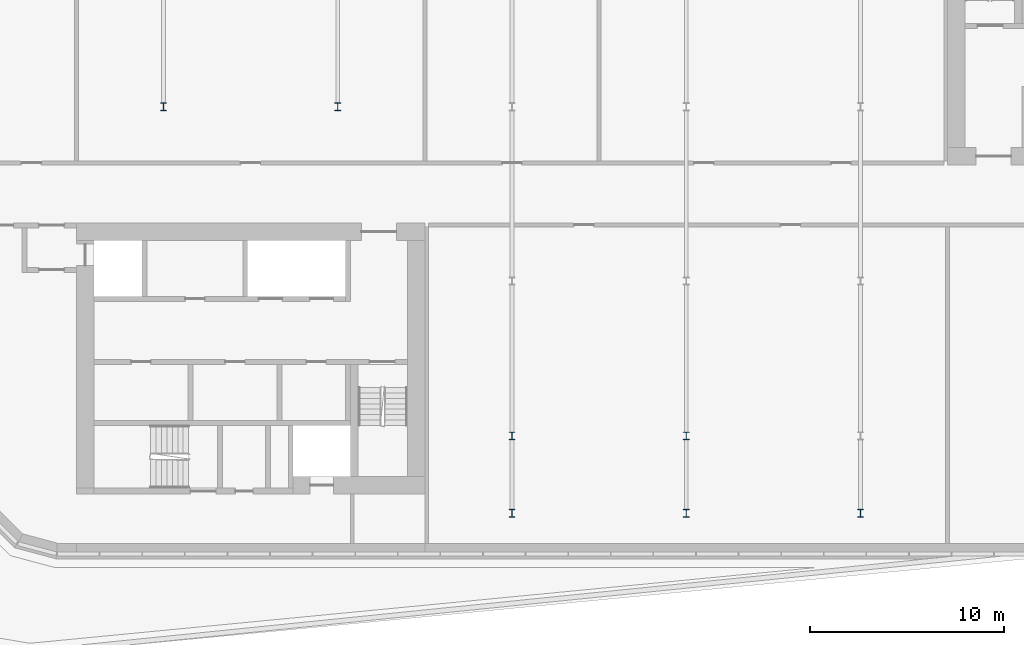
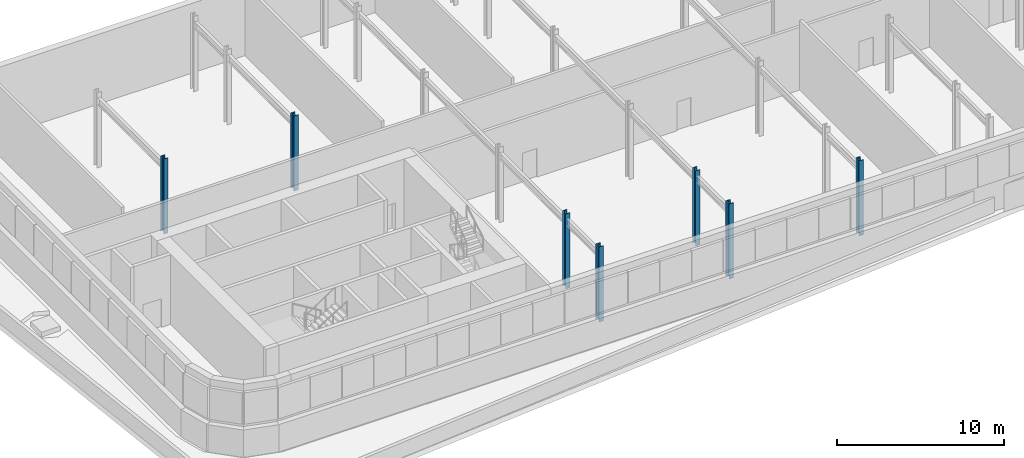
# One storey, part 1 of 16: 7 columns.
"""IFC4 building model written with IfcOpenShell, lengths in metres."""

from ifc_helpers import new_model, si_unit, direction, frame, origin, origin_2d, place, context, subcontext, project, spatial, i_section, extrude, material, material_profile, profile_set, type_object, element, save


model = new_model("IFC4")

# Units and contexts
model_context = context("Model", 3, precision=1e-05, world=origin(), true_north=direction((0.0, 1.0)))
body_context = subcontext(model_context, "Body", "Model", "MODEL_VIEW")
ifc_project = project(units=[si_unit("LENGTHUNIT", "METRE"), si_unit("AREAUNIT", "SQUARE_METRE"), si_unit("VOLUMEUNIT", "CUBIC_METRE"), si_unit("PLANEANGLEUNIT", "RADIAN"), si_unit("MASSUNIT", "GRAM", prefix="KILO")], contexts=[model_context])

# Site, building, storey
site_placement = place(None, origin())
site = spatial("IfcSite", under=ifc_project, at=site_placement, CompositionType="ELEMENT")
building_placement = place(site_placement, origin())
building = spatial("IfcBuilding", under=site, at=building_placement, Name="Kajstack Hotel Tower", CompositionType="ELEMENT")
storey_placement = place(building_placement, frame((0.0, 0.0, 308.10009765625)))
storey = spatial("IfcBuildingStorey", under=building, at=storey_placement, Name="L78", CompositionType="ELEMENT", Elevation=308.10009765625)

# Columns
ifc_material = material(Name="Steel S355J2", Category="steel")
ifc_material_profile = material_profile(ifc_material, i_section(OverallWidth=0.300048828125, OverallDepth=0.39990234375, WebThickness=0.013427734375, FlangeThickness=0.02392578125, FilletRadius=0.027099609375, at=origin_2d()), Name="HEB 400")
ifc_profile_set = profile_set([ifc_material_profile], Name="Steel S355J2")
column_type = type_object("IfcColumnType", Name="CC1 HEB 400", PredefinedType="COLUMN", material=ifc_profile_set)
for number, where, z_axis, x_axis, name in (
    (1, (-27.0, 4.5, 0.0), (0.0, 0.0, 1.0), (1.0, 0.0, 0.0), "S-col-c-L78--27p0+4p5"),
    (2, (-18.0, 4.5, 0.0), (0.0, 0.0, 1.0), (1.0, 0.0, 0.0), "S-col-c-L78--18p0+4p5"),
    (3, (-9.0, -16.5, 0.0), (0.0, 0.0, 1.0), (1.0, 0.0, 0.0), "S-col-c-L78--9p0-16p5"),
    (4, (-9.0, -12.5, 0.0), (0.0, 0.0, 1.0), (1.0, 0.0, 0.0), "S-col-c-L78--9p0-12p5"),
    (5, (0.0, -16.5, 0.0), (0.0, 0.0, 1.0), (1.0, 0.0, 0.0), "S-col-c-L78-+0p0-16p5"),
    (6, (0.0, -12.5, 0.0), (0.0, 0.0, 1.0), (1.0, 0.0, 0.0), "S-col-c-L78-+0p0-12p5"),
    (7, (9.0, -16.5, 0.0), (0.0, 0.0, 1.0), (1.0, 0.0, 0.0), "S-col-c-L78-+9p0-16p5"),
):
    element("IfcColumn", number, at=place(storey_placement, frame(where, z_axis=z_axis, x_axis=x_axis)), inside=storey, type_object=column_type, Name=name, PredefinedType="COLUMN", context=body_context, shape_type="SweptSolid", body=[
        extrude(i_section(OverallWidth=0.300048828125, OverallDepth=0.39990234375, WebThickness=0.013427734375, FlangeThickness=0.02392578125, FilletRadius=0.027099609375, at=origin_2d()), origin(), (0.0, 0.0, 1.0), 5.5),
    ])

save(model, "model.ifc")
